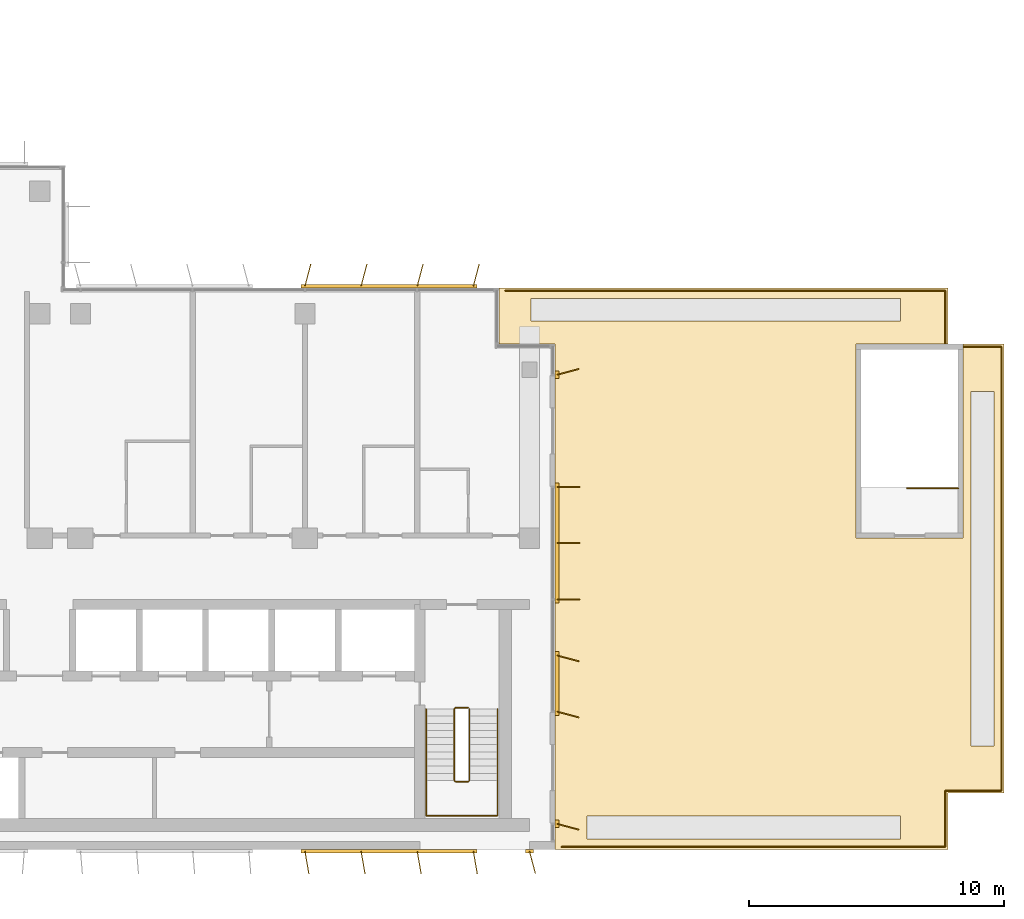
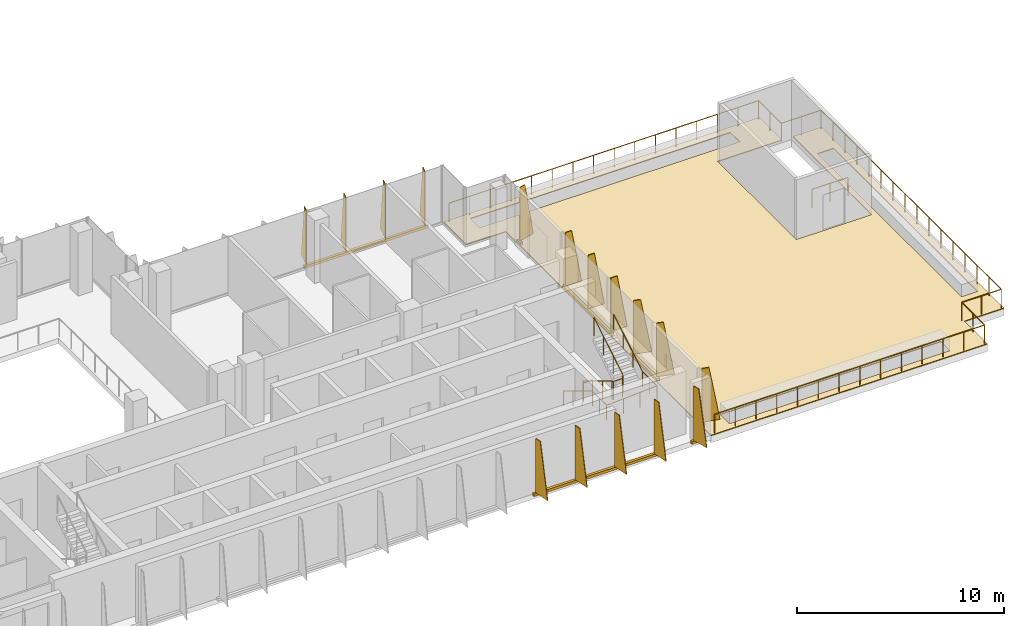
# One storey, part 16 of 17: 7 shading devices, 4 railings, 1 covering.
"""IFC4 building model written with IfcOpenShell, lengths in metres."""

from ifc_helpers import new_model, si_unit, direction, frame, origin, origin_2d, place, context, subcontext, project, spatial, polyline, rectangle, circle, outline, extrude, source, transform, mapped, material, layer, layer_set, type_object, element, save


model = new_model("IFC4")

# Units and contexts
model_context = context("Model", 3, precision=1e-05, world=origin(), true_north=direction((0.0, 1.0)))
body_context = subcontext(model_context, "Body", "Model", "MODEL_VIEW")
ifc_project = project(units=[si_unit("LENGTHUNIT", "METRE"), si_unit("AREAUNIT", "SQUARE_METRE"), si_unit("VOLUMEUNIT", "CUBIC_METRE"), si_unit("PLANEANGLEUNIT", "RADIAN"), si_unit("MASSUNIT", "GRAM", prefix="KILO")], contexts=[model_context])

# Site, building, storey
site_placement = place(None, origin())
site = spatial("IfcSite", under=ifc_project, at=site_placement, CompositionType="ELEMENT")
building_placement = place(site_placement, origin())
building = spatial("IfcBuilding", under=site, at=building_placement, Name="Kemantara Hotel Tower", CompositionType="ELEMENT")
storey_placement = place(building_placement, frame((0.0, 0.0, 222.800048828125)))
storey = spatial("IfcBuildingStorey", under=building, at=storey_placement, Name="L55", CompositionType="ELEMENT", Elevation=222.800048828125)

# Railings
ifc_material_1 = material(Name="Stainless steel balustrade", Category="steel")
railing_type_1 = type_object("IfcRailingType", Name="Stair guard 1100 mm", PredefinedType="GUARDRAIL", material=ifc_material_1)
railing_1_placement = place(storey_placement, frame((42.64990234375, 5.5, 3.699951171875)))
element("IfcRailing", 1, at=railing_1_placement, inside=storey, type_object=railing_type_1, Name="L55 ST2 stair guard 1", PredefinedType="GUARDRAIL", context=body_context, shape_type="SweptSolid", body=[
    extrude(circle(Radius=0.02392578125, at=origin_2d()), frame((0.0, 0.0, 1.076171875), z_axis=(0.0, -0.857242210791, -0.514913383045), x_axis=(1.0, 0.0, 0.0)), (0.0, 0.0, 1.0), 3.266357421875),
    extrude(circle(Radius=0.02392578125, at=origin_2d()), frame((0.0, -2.800048828125, -0.60595703125), z_axis=(-0.273006030465, -0.27434429532, -0.922064485248), x_axis=(0.708833529934, -0.705375805398, 0.0)), (0.0, 0.0, 1.0), 0.182373046875),
    extrude(circle(Radius=0.02392578125, at=origin_2d()), frame((-0.0498046875, -2.85009765625, -0.77392578125), z_axis=(-1.0, 0.0, 0.0), x_axis=(0.0, -1.0, 0.0)), (0.0, 0.0, 1.0), 0.5),
    extrude(circle(Radius=0.02392578125, at=origin_2d()), frame((-0.5498046875, -2.85009765625, -0.77392578125), z_axis=(-0.707106781187, 0.707106781187, 0.0), x_axis=(-0.707106781187, -0.707106781187, 0.0)), (0.0, 0.0, 1.0), 0.07080078125),
    extrude(circle(Radius=0.02392578125, at=origin_2d()), frame((-0.599853515625, -2.800048828125, -0.77392578125), z_axis=(0.0, 0.857275202839, -0.514858452973), x_axis=(-1.0, 0.0, 0.0)), (0.0, 0.0, 1.0), 3.26611328125),
    extrude(circle(Radius=0.02392578125, at=origin_2d()), frame((-0.599853515625, 0.0, -2.45556640625), z_axis=(0.274243871929, 0.274243871929, -0.92172696468), x_axis=(-0.707106781187, 0.707106781187, 0.0)), (0.0, 0.0, 1.0), 0.1826171875),
    extrude(circle(Radius=0.02392578125, at=origin_2d()), frame((-0.5498046875, 0.050048828125, -2.6240234375), z_axis=(1.0, 0.0, 0.0), x_axis=(0.0, 1.0, 0.0)), (0.0, 0.0, 1.0), 0.5),
    extrude(circle(Radius=0.02099609375, at=origin_2d()), origin(), (0.0, 0.0, 1.0), 1.052001953125),
    extrude(circle(Radius=0.02099609375, at=origin_2d()), frame((0.0, -0.933349609375, -0.560546875)), (0.0, 0.0, 1.0), 1.052001953125),
    extrude(circle(Radius=0.02099609375, at=origin_2d()), frame((0.0, -1.86669921875, -1.121337890625)), (0.0, 0.0, 1.0), 1.052001953125),
    extrude(circle(Radius=0.02099609375, at=origin_2d()), frame((0.0, -2.800048828125, -1.681884765625)), (0.0, 0.0, 1.0), 1.052001953125),
    extrude(circle(Radius=0.02099609375, at=origin_2d()), frame((-0.0498046875, -2.85009765625, -1.85009765625)), (0.0, 0.0, 1.0), 1.052001953125),
    extrude(circle(Radius=0.02099609375, at=origin_2d()), frame((-0.5498046875, -2.85009765625, -1.85009765625)), (0.0, 0.0, 1.0), 1.052001953125),
    extrude(circle(Radius=0.02099609375, at=origin_2d()), frame((-0.599853515625, -2.800048828125, -1.85009765625)), (0.0, 0.0, 1.0), 1.052001953125),
    extrude(circle(Radius=0.02099609375, at=origin_2d()), frame((-0.599853515625, -1.86669921875, -2.41064453125)), (0.0, 0.0, 1.0), 1.052001953125),
    extrude(circle(Radius=0.02099609375, at=origin_2d()), frame((-0.599853515625, -0.933349609375, -2.97119140625)), (0.0, 0.0, 1.0), 1.052001953125),
    extrude(circle(Radius=0.02099609375, at=origin_2d()), frame((-0.599853515625, 0.0, -3.53173828125)), (0.0, 0.0, 1.0), 1.052001953125),
    extrude(circle(Radius=0.02099609375, at=origin_2d()), frame((-0.5498046875, 0.050048828125, -3.699951171875)), (0.0, 0.0, 1.0), 1.052001953125),
    extrude(circle(Radius=0.02099609375, at=origin_2d()), frame((-0.0498046875, 0.050048828125, -3.699951171875)), (0.0, 0.0, 1.0), 1.052001953125),
])
railing_2_placement = place(storey_placement, frame((61.800048828125, 14.14990234375, 0.0)))
element("IfcRailing", 2, at=railing_2_placement, inside=storey, type_object=railing_type_1, Name="L55 ST3 top well guard 1", PredefinedType="GUARDRAIL", context=body_context, shape_type="SweptSolid", body=[
    extrude(circle(Radius=0.02392578125, at=origin_2d()), frame((0.0, 0.0, 1.076171875), z_axis=(-1.0, 0.0, 0.0), x_axis=(0.0, -1.0, 0.0)), (0.0, 0.0, 1.0), 2.0),
    extrude(circle(Radius=0.02099609375, at=origin_2d()), origin(), (0.0, 0.0, 1.0), 1.052001953125),
    extrude(circle(Radius=0.02099609375, at=origin_2d()), frame((-1.0, 0.0, 0.0)), (0.0, 0.0, 1.0), 1.052001953125),
    extrude(circle(Radius=0.02099609375, at=origin_2d()), frame((-2.0, 0.0, 0.0)), (0.0, 0.0, 1.0), 1.052001953125),
])
railing_type_2 = type_object("IfcRailingType", Name="Stair handrail 900 mm", PredefinedType="HANDRAIL", material=ifc_material_1)
railing_3_placement = place(storey_placement, frame((40.949951171875, 5.5, 0.168212890625)))
element("IfcRailing", 3, at=railing_3_placement, inside=storey, type_object=railing_type_2, Name="L55 ST2 stair handrail 1", PredefinedType="HANDRAIL", context=body_context, shape_type="SweptSolid", body=[
    extrude(circle(Radius=0.02392578125, at=origin_2d()), frame((0.0, 0.0, 0.8759765625), z_axis=(0.0, -0.857275202839, 0.514858452973), x_axis=(1.0, 0.0, 0.0)), (0.0, 0.0, 1.0), 3.26611328125),
    extrude(circle(Radius=0.02392578125, at=origin_2d()), frame((0.0, -2.800048828125, 2.5576171875), z_axis=(0.0, -1.0, 0.0), x_axis=(1.0, 0.0, 0.0)), (0.0, 0.0, 1.0), 1.3798828125),
    extrude(circle(Radius=0.02392578125, at=origin_2d()), frame((0.0, -4.179931640625, 2.5576171875), z_axis=(0.998200367801, 0.0, 0.059966871865), x_axis=(0.0, 1.0, 0.0)), (0.0, 0.0, 1.0), 2.80517578125),
    extrude(circle(Radius=0.02392578125, at=origin_2d()), frame((2.800048828125, -4.179931640625, 2.7255859375), z_axis=(0.0, 1.0, 0.0), x_axis=(-1.0, 0.0, 0.0)), (0.0, 0.0, 1.0), 1.3798828125),
    extrude(circle(Radius=0.02392578125, at=origin_2d()), frame((2.800048828125, -2.800048828125, 2.7255859375), z_axis=(0.0, 0.857242210791, 0.514913383045), x_axis=(-1.0, 0.0, 0.0)), (0.0, 0.0, 1.0), 3.266357421875),
    extrude(circle(Radius=0.02099609375, at=origin_2d()), origin(), (0.0, 0.0, 1.0), 0.851806640625),
    extrude(circle(Radius=0.02099609375, at=origin_2d()), frame((0.0, -0.933349609375, 0.560546875)), (0.0, 0.0, 1.0), 0.851806640625),
    extrude(circle(Radius=0.02099609375, at=origin_2d()), frame((0.0, -1.86669921875, 1.12109375)), (0.0, 0.0, 1.0), 0.851806640625),
    extrude(circle(Radius=0.02099609375, at=origin_2d()), frame((0.0, -2.800048828125, 1.681640625)), (0.0, 0.0, 1.0), 0.851806640625),
    extrude(circle(Radius=0.02099609375, at=origin_2d()), frame((0.0, -3.489990234375, 1.681640625)), (0.0, 0.0, 1.0), 0.851806640625),
    extrude(circle(Radius=0.02099609375, at=origin_2d()), frame((0.0, -4.179931640625, 1.681640625)), (0.0, 0.0, 1.0), 0.851806640625),
    extrude(circle(Radius=0.02099609375, at=origin_2d()), frame((0.933349609375, -4.179931640625, 1.73779296875)), (0.0, 0.0, 1.0), 0.851806640625),
    extrude(circle(Radius=0.02099609375, at=origin_2d()), frame((1.86669921875, -4.179931640625, 1.793701171875)), (0.0, 0.0, 1.0), 0.851806640625),
    extrude(circle(Radius=0.02099609375, at=origin_2d()), frame((2.800048828125, -4.179931640625, 1.849853515625)), (0.0, 0.0, 1.0), 0.851806640625),
    extrude(circle(Radius=0.02099609375, at=origin_2d()), frame((2.800048828125, -3.489990234375, 1.849853515625)), (0.0, 0.0, 1.0), 0.851806640625),
    extrude(circle(Radius=0.02099609375, at=origin_2d()), frame((2.800048828125, -2.800048828125, 1.849853515625)), (0.0, 0.0, 1.0), 0.851806640625),
    extrude(circle(Radius=0.02099609375, at=origin_2d()), frame((2.800048828125, -1.86669921875, 2.410400390625)), (0.0, 0.0, 1.0), 0.851806640625),
    extrude(circle(Radius=0.02099609375, at=origin_2d()), frame((2.800048828125, -0.933349609375, 2.97119140625)), (0.0, 0.0, 1.0), 0.851806640625),
    extrude(circle(Radius=0.02099609375, at=origin_2d()), frame((2.800048828125, 0.0, 3.53173828125)), (0.0, 0.0, 1.0), 0.851806640625),
])
ifc_material_2 = material(Name="Stainless steel 316 (EN 1.4401)", Category="steel")
railing_type_3 = type_object("IfcRailingType", Name="TERRACE GUARD, STAINLESS STEEL 1100", PredefinedType="GUARDRAIL", material=ifc_material_2)
railing_4_placement = place(storey_placement, frame((44.050048828125, 21.89990234375, 0.0)))
element("IfcRailing", 4, at=railing_4_placement, inside=storey, type_object=railing_type_3, Name="TERRACE GUARD TERRACE-S3-1", PredefinedType="GUARDRAIL", context=body_context, shape_type="SweptSolid", body=[
    extrude(circle(Radius=0.02490234375, at=origin_2d()), frame((0.0, 0.0, 1.0751953125), z_axis=(1.0, 0.0, 0.0), x_axis=(0.0, 1.0, 0.0)), (0.0, 0.0, 1.0), 17.25),
    extrude(circle(Radius=0.02490234375, at=origin_2d()), frame((17.25, 0.0, 1.0751953125), z_axis=(0.0, -1.0, 0.0), x_axis=(1.0, 0.0, 0.0)), (0.0, 0.0, 1.0), 2.199951171875),
    extrude(circle(Radius=0.02490234375, at=origin_2d()), frame((17.25, -2.199951171875, 1.0751953125), z_axis=(1.0, 0.0, 0.0), x_axis=(0.0, 1.0, 0.0)), (0.0, 0.0, 1.0), 2.199951171875),
    extrude(circle(Radius=0.02490234375, at=origin_2d()), frame((19.449951171875, -2.199951171875, 1.0751953125), z_axis=(0.0, -1.0, 0.0), x_axis=(1.0, 0.0, 0.0)), (0.0, 0.0, 1.0), 17.39990234375),
    extrude(circle(Radius=0.02490234375, at=origin_2d()), frame((19.449951171875, -19.599853515625, 1.0751953125), z_axis=(-1.0, 0.0, 0.0), x_axis=(0.0, -1.0, 0.0)), (0.0, 0.0, 1.0), 2.199951171875),
    extrude(circle(Radius=0.02490234375, at=origin_2d()), frame((17.25, -19.599853515625, 1.0751953125), z_axis=(0.0, -1.0, 0.0), x_axis=(1.0, 0.0, 0.0)), (0.0, 0.0, 1.0), 2.199951171875),
    extrude(circle(Radius=0.02490234375, at=origin_2d()), frame((17.25, -21.7998046875, 1.0751953125), z_axis=(-1.0, 0.0, 0.0), x_axis=(0.0, -1.0, 0.0)), (0.0, 0.0, 1.0), 15.050048828125),
    extrude(circle(Radius=0.02001953125, at=origin_2d()), origin(), (0.0, 0.0, 1.0), 1.050048828125),
    extrude(circle(Radius=0.02001953125, at=origin_2d()), frame((1.14990234375, 0.0, 0.0)), (0.0, 0.0, 1.0), 1.050048828125),
    extrude(circle(Radius=0.02001953125, at=origin_2d()), frame((2.300048828125, 0.0, 0.0)), (0.0, 0.0, 1.0), 1.050048828125),
    extrude(circle(Radius=0.02001953125, at=origin_2d()), frame((3.449951171875, 0.0, 0.0)), (0.0, 0.0, 1.0), 1.050048828125),
    extrude(circle(Radius=0.02001953125, at=origin_2d()), frame((4.60009765625, 0.0, 0.0)), (0.0, 0.0, 1.0), 1.050048828125),
    extrude(circle(Radius=0.02001953125, at=origin_2d()), frame((5.75, 0.0, 0.0)), (0.0, 0.0, 1.0), 1.050048828125),
    extrude(circle(Radius=0.02001953125, at=origin_2d()), frame((6.89990234375, 0.0, 0.0)), (0.0, 0.0, 1.0), 1.050048828125),
    extrude(circle(Radius=0.02001953125, at=origin_2d()), frame((8.050048828125, 0.0, 0.0)), (0.0, 0.0, 1.0), 1.050048828125),
    extrude(circle(Radius=0.02001953125, at=origin_2d()), frame((9.199951171875, 0.0, 0.0)), (0.0, 0.0, 1.0), 1.050048828125),
    extrude(circle(Radius=0.02001953125, at=origin_2d()), frame((10.35009765625, 0.0, 0.0)), (0.0, 0.0, 1.0), 1.050048828125),
    extrude(circle(Radius=0.02001953125, at=origin_2d()), frame((11.5, 0.0, 0.0)), (0.0, 0.0, 1.0), 1.050048828125),
    extrude(circle(Radius=0.02001953125, at=origin_2d()), frame((12.64990234375, 0.0, 0.0)), (0.0, 0.0, 1.0), 1.050048828125),
    extrude(circle(Radius=0.02001953125, at=origin_2d()), frame((13.800048828125, 0.0, 0.0)), (0.0, 0.0, 1.0), 1.050048828125),
    extrude(circle(Radius=0.02001953125, at=origin_2d()), frame((14.949951171875, 0.0, 0.0)), (0.0, 0.0, 1.0), 1.050048828125),
    extrude(circle(Radius=0.02001953125, at=origin_2d()), frame((16.10009765625, 0.0, 0.0)), (0.0, 0.0, 1.0), 1.050048828125),
    extrude(circle(Radius=0.02001953125, at=origin_2d()), frame((17.25, 0.0, 0.0)), (0.0, 0.0, 1.0), 1.050048828125),
    extrude(circle(Radius=0.02001953125, at=origin_2d()), frame((17.25, -1.10009765625, 0.0)), (0.0, 0.0, 1.0), 1.050048828125),
    extrude(circle(Radius=0.02001953125, at=origin_2d()), frame((17.25, -2.199951171875, 0.0)), (0.0, 0.0, 1.0), 1.050048828125),
    extrude(circle(Radius=0.02001953125, at=origin_2d()), frame((18.35009765625, -2.199951171875, 0.0)), (0.0, 0.0, 1.0), 1.050048828125),
    extrude(circle(Radius=0.02001953125, at=origin_2d()), frame((19.449951171875, -2.199951171875, 0.0)), (0.0, 0.0, 1.0), 1.050048828125),
    extrude(circle(Radius=0.02001953125, at=origin_2d()), frame((19.449951171875, -3.35986328125, 0.0)), (0.0, 0.0, 1.0), 1.050048828125),
    extrude(circle(Radius=0.02001953125, at=origin_2d()), frame((19.449951171875, -4.52001953125, 0.0)), (0.0, 0.0, 1.0), 1.050048828125),
    extrude(circle(Radius=0.02001953125, at=origin_2d()), frame((19.449951171875, -5.679931640625, 0.0)), (0.0, 0.0, 1.0), 1.050048828125),
    extrude(circle(Radius=0.02001953125, at=origin_2d()), frame((19.449951171875, -6.83984375, 0.0)), (0.0, 0.0, 1.0), 1.050048828125),
    extrude(circle(Radius=0.02001953125, at=origin_2d()), frame((19.449951171875, -8.0, 0.0)), (0.0, 0.0, 1.0), 1.050048828125),
    extrude(circle(Radius=0.02001953125, at=origin_2d()), frame((19.449951171875, -9.159912109375, 0.0)), (0.0, 0.0, 1.0), 1.050048828125),
    extrude(circle(Radius=0.02001953125, at=origin_2d()), frame((19.449951171875, -10.31982421875, 0.0)), (0.0, 0.0, 1.0), 1.050048828125),
    extrude(circle(Radius=0.02001953125, at=origin_2d()), frame((19.449951171875, -11.47998046875, 0.0)), (0.0, 0.0, 1.0), 1.050048828125),
    extrude(circle(Radius=0.02001953125, at=origin_2d()), frame((19.449951171875, -12.639892578125, 0.0)), (0.0, 0.0, 1.0), 1.050048828125),
    extrude(circle(Radius=0.02001953125, at=origin_2d()), frame((19.449951171875, -13.7998046875, 0.0)), (0.0, 0.0, 1.0), 1.050048828125),
    extrude(circle(Radius=0.02001953125, at=origin_2d()), frame((19.449951171875, -14.9599609375, 0.0)), (0.0, 0.0, 1.0), 1.050048828125),
    extrude(circle(Radius=0.02001953125, at=origin_2d()), frame((19.449951171875, -16.119873046875, 0.0)), (0.0, 0.0, 1.0), 1.050048828125),
    extrude(circle(Radius=0.02001953125, at=origin_2d()), frame((19.449951171875, -17.27978515625, 0.0)), (0.0, 0.0, 1.0), 1.050048828125),
    extrude(circle(Radius=0.02001953125, at=origin_2d()), frame((19.449951171875, -18.43994140625, 0.0)), (0.0, 0.0, 1.0), 1.050048828125),
    extrude(circle(Radius=0.02001953125, at=origin_2d()), frame((19.449951171875, -19.599853515625, 0.0)), (0.0, 0.0, 1.0), 1.050048828125),
    extrude(circle(Radius=0.02001953125, at=origin_2d()), frame((18.35009765625, -19.599853515625, 0.0)), (0.0, 0.0, 1.0), 1.050048828125),
    extrude(circle(Radius=0.02001953125, at=origin_2d()), frame((17.25, -19.599853515625, 0.0)), (0.0, 0.0, 1.0), 1.050048828125),
    extrude(circle(Radius=0.02001953125, at=origin_2d()), frame((17.25, -20.69970703125, 0.0)), (0.0, 0.0, 1.0), 1.050048828125),
    extrude(circle(Radius=0.02001953125, at=origin_2d()), frame((17.25, -21.7998046875, 0.0)), (0.0, 0.0, 1.0), 1.050048828125),
    extrude(circle(Radius=0.02001953125, at=origin_2d()), frame((16.09228515625, -21.7998046875, 0.0)), (0.0, 0.0, 1.0), 1.050048828125),
    extrude(circle(Radius=0.02001953125, at=origin_2d()), frame((14.9345703125, -21.7998046875, 0.0)), (0.0, 0.0, 1.0), 1.050048828125),
    extrude(circle(Radius=0.02001953125, at=origin_2d()), frame((13.77685546875, -21.7998046875, 0.0)), (0.0, 0.0, 1.0), 1.050048828125),
    extrude(circle(Radius=0.02001953125, at=origin_2d()), frame((12.619140625, -21.7998046875, 0.0)), (0.0, 0.0, 1.0), 1.050048828125),
    extrude(circle(Radius=0.02001953125, at=origin_2d()), frame((11.46142578125, -21.7998046875, 0.0)), (0.0, 0.0, 1.0), 1.050048828125),
    extrude(circle(Radius=0.02001953125, at=origin_2d()), frame((10.3037109375, -21.7998046875, 0.0)), (0.0, 0.0, 1.0), 1.050048828125),
    extrude(circle(Radius=0.02001953125, at=origin_2d()), frame((9.146240234375, -21.7998046875, 0.0)), (0.0, 0.0, 1.0), 1.050048828125),
    extrude(circle(Radius=0.02001953125, at=origin_2d()), frame((7.988525390625, -21.7998046875, 0.0)), (0.0, 0.0, 1.0), 1.050048828125),
    extrude(circle(Radius=0.02001953125, at=origin_2d()), frame((6.830810546875, -21.7998046875, 0.0)), (0.0, 0.0, 1.0), 1.050048828125),
    extrude(circle(Radius=0.02001953125, at=origin_2d()), frame((5.673095703125, -21.7998046875, 0.0)), (0.0, 0.0, 1.0), 1.050048828125),
    extrude(circle(Radius=0.02001953125, at=origin_2d()), frame((4.515380859375, -21.7998046875, 0.0)), (0.0, 0.0, 1.0), 1.050048828125),
    extrude(circle(Radius=0.02001953125, at=origin_2d()), frame((3.357666015625, -21.7998046875, 0.0)), (0.0, 0.0, 1.0), 1.050048828125),
    extrude(circle(Radius=0.02001953125, at=origin_2d()), frame((2.199951171875, -21.7998046875, 0.0)), (0.0, 0.0, 1.0), 1.050048828125),
])

# Covering
ifc_material_3 = material(Name="Bituminous roofing membrane under porcelain paving")
ifc_layer_1 = layer(ifc_material_3, 0.050048828125)
ifc_layer_set_1 = layer_set([ifc_layer_1], Name="Bituminous roofing membrane under porcelain paving")
covering_type = type_object("IfcCoveringType", Name="TERRACE ROOFING AND PAVING 50", PredefinedType="ROOFING", material=ifc_layer_set_1)
covering_placement = place(storey_placement, frame((0.0, 0.0, -0.050048828125)))
element("IfcCovering", 5, at=covering_placement, inside=storey, type_object=covering_type, Name="ROOFING AND PAVING TERRACE-S3", PredefinedType="ROOFING", context=body_context, shape_type="SweptSolid", body=[
    extrude(outline(polyline([(61.39990234375, 0.0), (46.0, 0.0), (46.0, 19.800048828125), (43.800048828125, 19.800048828125), (43.800048828125, 22.0), (61.39990234375, 22.0), (61.39990234375, 19.800048828125), (57.800048828125, 19.800048828125), (57.800048828125, 12.199951171875), (62.0, 12.199951171875), (62.0, 19.800048828125), (63.60009765625, 19.800048828125), (63.60009765625, 2.199951171875), (61.39990234375, 2.199951171875), (61.39990234375, 0.0)]), holes=[polyline([(59.550048828125, 20.699951171875), (59.550048828125, 21.60009765625), (45.050048828125, 21.60009765625), (45.050048828125, 20.699951171875), (59.550048828125, 20.699951171875)]), polyline([(62.300048828125, 17.949951171875), (62.300048828125, 4.050048828125), (63.199951171875, 4.050048828125), (63.199951171875, 17.949951171875), (62.300048828125, 17.949951171875)]), polyline([(59.550048828125, 0.39990234375), (59.550048828125, 1.300048828125), (47.25, 1.300048828125), (47.25, 0.39990234375), (59.550048828125, 0.39990234375)])]), origin(), (0.0, 0.0, 1.0), 0.050048828125),
])

# Shading devices
ifc_material_4 = material(Name="Perforated aluminium plate 4 mm bronze anodised", Category="aluminium")
ifc_layer_2 = layer(ifc_material_4, 0.0400390625)
ifc_layer_set_2 = layer_set([ifc_layer_2], Name="Perforated aluminium plate 4 mm bronze anodised")
shading_device_type_1 = type_object("IfcShadingDeviceType", Name="SCREEN FIN CASSETTE, 4 BLADES AT +10.0 DEG, 3200 HIGH", PredefinedType="USERDEFINED", material=ifc_layer_set_2)
shared_shape_1 = source(origin(), body_context, "Body", "SweptSolid", [
    extrude(rectangle(XDim=6.89990234375, YDim=0.14990234375, at=origin_2d()), frame((3.300048828125, -0.074951171875, -0.14990234375), z_axis=(0.0, 0.0, 1.0), x_axis=(1.0, 0.0, 0.0)), (0.0, 0.0, 1.0), 0.14990234375),
    extrude(outline(polyline([(0.0, 0.0), (0.89990234375, 0.0), (0.35009765625, 3.199951171875), (0.0, 3.199951171875), (0.0, 0.0)])), frame((0.019775390625, -0.071533203125, 0.0), z_axis=(-0.985389793052, -0.170314285219, 0.0), x_axis=(0.170314285219, -0.985389793052, 0.0)), (0.0, 0.0, 1.0), 0.0400390625),
    extrude(outline(polyline([(0.0, 0.0), (0.89990234375, 0.0), (0.35009765625, 3.199951171875), (0.0, 3.199951171875), (0.0, 0.0)])), frame((2.2197265625, -0.071533203125, 0.0), z_axis=(-0.98521175482, -0.171341174751, 0.0), x_axis=(0.171341174751, -0.98521175482, 0.0)), (0.0, 0.0, 1.0), 0.039794921875),
    extrude(outline(polyline([(0.0, 0.0), (0.89990234375, 0.0), (0.35009765625, 3.199951171875), (0.0, 3.199951171875), (0.0, 0.0)])), frame((4.419677734375, -0.071533203125, 0.0), z_axis=(-0.98521175482, -0.171341174751, 0.0), x_axis=(0.171341174751, -0.98521175482, 0.0)), (0.0, 0.0, 1.0), 0.039794921875),
    extrude(outline(polyline([(0.0, 0.0), (0.89990234375, 0.0), (0.35009765625, 3.199951171875), (0.0, 3.199951171875), (0.0, 0.0)])), frame((6.61962890625, -0.071533203125, 0.0), z_axis=(-0.98521175482, -0.171341174751, 0.0), x_axis=(0.171341174751, -0.98521175482, 0.0)), (0.0, 0.0, 1.0), 0.039794921875),
])
shading_device_1_placement = place(storey_placement, frame((36.199951171875, 0.0, 0.099853515625), z_axis=(0.0, 0.0, 1.0), x_axis=(1.0, 0.0, 0.0)))
element("IfcShadingDevice", 6, at=shading_device_1_placement, inside=storey, type_object=shading_device_type_1, Name="SCREEN FIN CASSETTE L55 T4-R08-5", ObjectType="SCREEN FIN", PredefinedType="USERDEFINED", context=body_context, shape_type="MappedRepresentation", body=[
    mapped(shared_shape_1, transform((0.0, 0.0, 0.0))),
])
ifc_layer_3 = layer(ifc_material_4, 0.0400390625)
ifc_layer_set_3 = layer_set([ifc_layer_3], Name="Perforated aluminium plate 4 mm bronze anodised")
shading_device_type_2 = type_object("IfcShadingDeviceType", Name="SCREEN FIN CASSETTE, 4 BLADES AT -15.0 DEG, 3200 HIGH", PredefinedType="USERDEFINED", material=ifc_layer_set_3)
shared_shape_2 = source(origin(), body_context, "Body", "SweptSolid", [
    extrude(rectangle(XDim=6.89990234375, YDim=0.14990234375, at=origin_2d()), frame((3.300048828125, -0.074951171875, -0.14990234375), z_axis=(0.0, 0.0, 1.0), x_axis=(1.0, 0.0, 0.0)), (0.0, 0.0, 1.0), 0.14990234375),
    extrude(outline(polyline([(0.0, 0.0), (0.89990234375, 0.0), (0.35009765625, 3.199951171875), (0.0, 3.199951171875), (0.0, 0.0)])), frame((0.019287109375, -0.080078125, 0.0), z_axis=(-0.966437683387, 0.256901156343, 0.0), x_axis=(-0.256901156343, -0.966437683387, 0.0)), (0.0, 0.0, 1.0), 0.039794921875),
    extrude(outline(polyline([(0.0, 0.0), (0.89990234375, 0.0), (0.35009765625, 3.199951171875), (0.0, 3.199951171875), (0.0, 0.0)])), frame((2.21923828125, -0.080078125, 0.0), z_axis=(-0.966437683387, 0.256901156343, 0.0), x_axis=(-0.256901156343, -0.966437683387, 0.0)), (0.0, 0.0, 1.0), 0.039794921875),
    extrude(outline(polyline([(0.0, 0.0), (0.89990234375, 0.0), (0.35009765625, 3.199951171875), (0.0, 3.199951171875), (0.0, 0.0)])), frame((4.41943359375, -0.080078125, 0.0), z_axis=(-0.966837822169, 0.255391122837, 0.0), x_axis=(-0.255391122837, -0.966837822169, 0.0)), (0.0, 0.0, 1.0), 0.0400390625),
    extrude(outline(polyline([(0.0, 0.0), (0.89990234375, 0.0), (0.35009765625, 3.199951171875), (0.0, 3.199951171875), (0.0, 0.0)])), frame((6.619384765625, -0.080078125, 0.0), z_axis=(-0.966837822169, 0.255391122837, 0.0), x_axis=(-0.255391122837, -0.966837822169, 0.0)), (0.0, 0.0, 1.0), 0.0400390625),
])
shading_device_2_placement = place(storey_placement, frame((42.800048828125, 22.0, 0.099853515625), z_axis=(0.0, 0.0, 1.0), x_axis=(-1.0, 0.0, 0.0)))
element("IfcShadingDevice", 7, at=shading_device_2_placement, inside=storey, type_object=shading_device_type_2, Name="SCREEN FIN CASSETTE L55 T4-R12-1", ObjectType="SCREEN FIN", PredefinedType="USERDEFINED", context=body_context, shape_type="MappedRepresentation", body=[
    mapped(shared_shape_2, transform((0.0, 0.0, 0.0))),
])
ifc_layer_4 = layer(ifc_material_4, 0.0400390625)
ifc_layer_set_4 = layer_set([ifc_layer_4], Name="Perforated aluminium plate 4 mm bronze anodised")
shading_device_type_3 = type_object("IfcShadingDeviceType", Name="SCREEN FIN CASSETTE, 1 BLADE AT +15.0 DEG, 3150 HIGH", PredefinedType="USERDEFINED", material=ifc_layer_set_4)
shared_shape_3 = source(origin(), body_context, "Body", "SweptSolid", [
    extrude(rectangle(XDim=0.300048828125, YDim=0.14990234375, at=origin_2d()), frame((0.0, -0.074951171875, -0.14990234375), z_axis=(0.0, 0.0, 1.0), x_axis=(1.0, 0.0, 0.0)), (0.0, 0.0, 1.0), 0.14990234375),
    extrude(outline(polyline([(0.0, 0.0), (0.89990234375, 0.0), (0.35009765625, 3.14990234375), (0.0, 3.14990234375), (0.0, 0.0)])), frame((0.019287109375, -0.06982421875, 0.0), z_axis=(-0.966437683387, -0.256901156343, 0.0), x_axis=(0.256901156343, -0.966437683387, 0.0)), (0.0, 0.0, 1.0), 0.039794921875),
])
shading_device_3_placement = place(storey_placement, frame((46.0, 18.60009765625, 0.14990234375), z_axis=(0.0, 0.0, 1.0), x_axis=(0.0, 1.0, 0.0)))
element("IfcShadingDevice", 8, at=shading_device_3_placement, inside=storey, type_object=shading_device_type_3, Name="SCREEN FIN CASSETTE L55 T4-R09-4", ObjectType="SCREEN FIN", PredefinedType="USERDEFINED", context=body_context, shape_type="MappedRepresentation", body=[
    mapped(shared_shape_3, transform((0.0, 0.0, 0.0))),
])
ifc_layer_5 = layer(ifc_material_4, 0.0400390625)
ifc_layer_set_5 = layer_set([ifc_layer_5], Name="Perforated aluminium plate 4 mm bronze anodised")
shading_device_type_4 = type_object("IfcShadingDeviceType", Name="SCREEN FIN CASSETTE, 2 BLADES AT -15.0 DEG, 3150 HIGH", PredefinedType="USERDEFINED", material=ifc_layer_set_5)
shared_shape_4 = source(origin(), body_context, "Body", "SweptSolid", [
    extrude(rectangle(XDim=2.5, YDim=0.14990234375, at=origin_2d()), frame((1.10009765625, -0.074951171875, -0.14990234375), z_axis=(0.0, 0.0, 1.0), x_axis=(1.0, 0.0, 0.0)), (0.0, 0.0, 1.0), 0.14990234375),
    extrude(outline(polyline([(0.0, 0.0), (0.89990234375, 0.0), (0.35009765625, 3.14990234375), (0.0, 3.14990234375), (0.0, 0.0)])), frame((0.019287109375, -0.080078125, 0.0), z_axis=(-0.966437683387, 0.256901156343, 0.0), x_axis=(-0.256901156343, -0.966437683387, 0.0)), (0.0, 0.0, 1.0), 0.039794921875),
    extrude(outline(polyline([(0.0, 0.0), (0.89990234375, 0.0), (0.35009765625, 3.14990234375), (0.0, 3.14990234375), (0.0, 0.0)])), frame((2.21923828125, -0.080078125, 0.0), z_axis=(-0.966437683387, 0.256901156343, 0.0), x_axis=(-0.256901156343, -0.966437683387, 0.0)), (0.0, 0.0, 1.0), 0.039794921875),
])
shading_device_4_placement = place(storey_placement, frame((46.0, 5.39990234375, 0.14990234375), z_axis=(0.0, 0.0, 1.0), x_axis=(0.0, 1.0, 0.0)))
element("IfcShadingDevice", 9, at=shading_device_4_placement, inside=storey, type_object=shading_device_type_4, Name="SCREEN FIN CASSETTE L55 T4-R09-2", ObjectType="SCREEN FIN", PredefinedType="USERDEFINED", context=body_context, shape_type="MappedRepresentation", body=[
    mapped(shared_shape_4, transform((0.0, 0.0, 0.0))),
])
ifc_layer_6 = layer(ifc_material_4, 0.0400390625)
ifc_layer_set_6 = layer_set([ifc_layer_6], Name="Perforated aluminium plate 4 mm bronze anodised")
shading_device_type_5 = type_object("IfcShadingDeviceType", Name="SCREEN FIN CASSETTE, 3 BLADES AT +0.0 DEG, 3150 HIGH", PredefinedType="USERDEFINED", material=ifc_layer_set_6)
shared_shape_5 = source(origin(), body_context, "Body", "SweptSolid", [
    extrude(rectangle(XDim=4.699951171875, YDim=0.14990234375, at=origin_2d()), frame((2.199951171875, -0.074951171875, -0.14990234375), z_axis=(0.0, 0.0, 1.0), x_axis=(1.0, 0.0, 0.0)), (0.0, 0.0, 1.0), 0.14990234375),
    extrude(outline(polyline([(0.0, 0.0), (0.89990234375, 0.0), (0.35009765625, 3.14990234375), (0.0, 3.14990234375), (0.0, 0.0)])), frame((0.02001953125, -0.074951171875, 0.0), z_axis=(-1.0, 0.0, 0.0), x_axis=(0.0, -1.0, 0.0)), (0.0, 0.0, 1.0), 0.0400390625),
    extrude(outline(polyline([(0.0, 0.0), (0.89990234375, 0.0), (0.35009765625, 3.14990234375), (0.0, 3.14990234375), (0.0, 0.0)])), frame((2.219970703125, -0.074951171875, 0.0), z_axis=(-1.0, 0.0, 0.0), x_axis=(0.0, -1.0, 0.0)), (0.0, 0.0, 1.0), 0.0400390625),
    extrude(outline(polyline([(0.0, 0.0), (0.89990234375, 0.0), (0.35009765625, 3.14990234375), (0.0, 3.14990234375), (0.0, 0.0)])), frame((4.419921875, -0.074951171875, 0.0), z_axis=(-1.0, 0.0, 0.0), x_axis=(0.0, -1.0, 0.0)), (0.0, 0.0, 1.0), 0.0400390625),
])
shading_device_5_placement = place(storey_placement, frame((46.0, 9.800048828125, 0.14990234375), z_axis=(0.0, 0.0, 1.0), x_axis=(0.0, 1.0, 0.0)))
element("IfcShadingDevice", 10, at=shading_device_5_placement, inside=storey, type_object=shading_device_type_5, Name="SCREEN FIN CASSETTE L55 T4-R09-3", ObjectType="SCREEN FIN", PredefinedType="USERDEFINED", context=body_context, shape_type="MappedRepresentation", body=[
    mapped(shared_shape_5, transform((0.0, 0.0, 0.0))),
])
ifc_layer_7 = layer(ifc_material_4, 0.0400390625)
ifc_layer_set_7 = layer_set([ifc_layer_7], Name="Perforated aluminium plate 4 mm bronze anodised")
shading_device_type_6 = type_object("IfcShadingDeviceType", Name="SCREEN FIN CASSETTE, 1 BLADE AT -15.0 DEG, 3150 HIGH", PredefinedType="USERDEFINED", material=ifc_layer_set_7)
shared_shape_6 = source(origin(), body_context, "Body", "SweptSolid", [
    extrude(rectangle(XDim=0.300048828125, YDim=0.14990234375, at=origin_2d()), frame((0.0, -0.074951171875, -0.14990234375), z_axis=(0.0, 0.0, 1.0), x_axis=(1.0, 0.0, 0.0)), (0.0, 0.0, 1.0), 0.14990234375),
    extrude(outline(polyline([(0.0, 0.0), (0.89990234375, 0.0), (0.35009765625, 3.14990234375), (0.0, 3.14990234375), (0.0, 0.0)])), frame((0.019287109375, -0.080078125, 0.0), z_axis=(-0.966437683387, 0.256901156343, 0.0), x_axis=(-0.256901156343, -0.966437683387, 0.0)), (0.0, 0.0, 1.0), 0.039794921875),
])
shading_device_6_placement = place(storey_placement, frame((46.0, 1.0, 0.14990234375), z_axis=(0.0, 0.0, 1.0), x_axis=(0.0, 1.0, 0.0)))
element("IfcShadingDevice", 11, at=shading_device_6_placement, inside=storey, type_object=shading_device_type_6, Name="SCREEN FIN CASSETTE L55 T4-R09-1", ObjectType="SCREEN FIN", PredefinedType="USERDEFINED", context=body_context, shape_type="MappedRepresentation", body=[
    mapped(shared_shape_6, transform((0.0, 0.0, 0.0))),
])
ifc_layer_8 = layer(ifc_material_4, 0.0400390625)
ifc_layer_set_8 = layer_set([ifc_layer_8], Name="Perforated aluminium plate 4 mm bronze anodised")
shading_device_type_7 = type_object("IfcShadingDeviceType", Name="SCREEN FIN CASSETTE, 1 BLADE AT +15.0 DEG, 3200 HIGH", PredefinedType="USERDEFINED", material=ifc_layer_set_8)
shared_shape_7 = source(origin(), body_context, "Body", "SweptSolid", [
    extrude(rectangle(XDim=0.300048828125, YDim=0.14990234375, at=origin_2d()), frame((0.0, -0.074951171875, -0.14990234375), z_axis=(0.0, 0.0, 1.0), x_axis=(1.0, 0.0, 0.0)), (0.0, 0.0, 1.0), 0.14990234375),
    extrude(outline(polyline([(0.0, 0.0), (0.89990234375, 0.0), (0.35009765625, 3.199951171875), (0.0, 3.199951171875), (0.0, 0.0)])), frame((0.019287109375, -0.06982421875, 0.0), z_axis=(-0.966437683387, -0.256901156343, 0.0), x_axis=(0.256901156343, -0.966437683387, 0.0)), (0.0, 0.0, 1.0), 0.039794921875),
])
shading_device_7_placement = place(storey_placement, frame((45.0, 0.0, 0.099853515625), z_axis=(0.0, 0.0, 1.0), x_axis=(1.0, 0.0, 0.0)))
element("IfcShadingDevice", 12, at=shading_device_7_placement, inside=storey, type_object=shading_device_type_7, Name="SCREEN FIN CASSETTE L55 T4-R08-6", ObjectType="SCREEN FIN", PredefinedType="USERDEFINED", context=body_context, shape_type="MappedRepresentation", body=[
    mapped(shared_shape_7, transform((0.0, 0.0, 0.0))),
])

save(model, "model.ifc")
